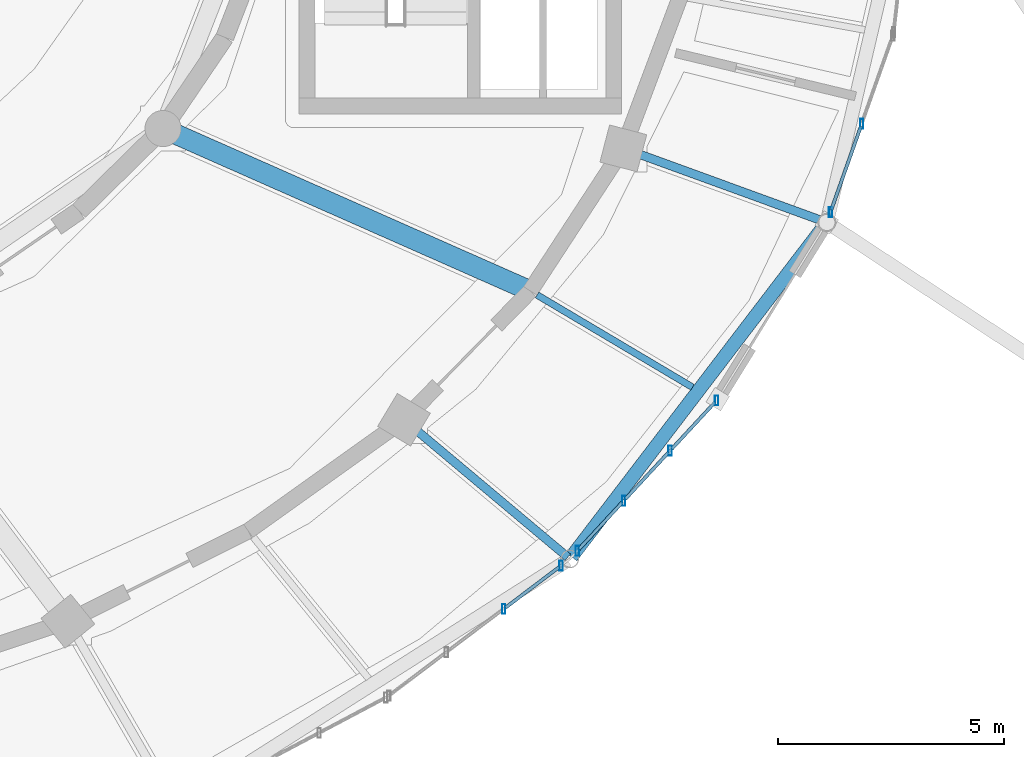
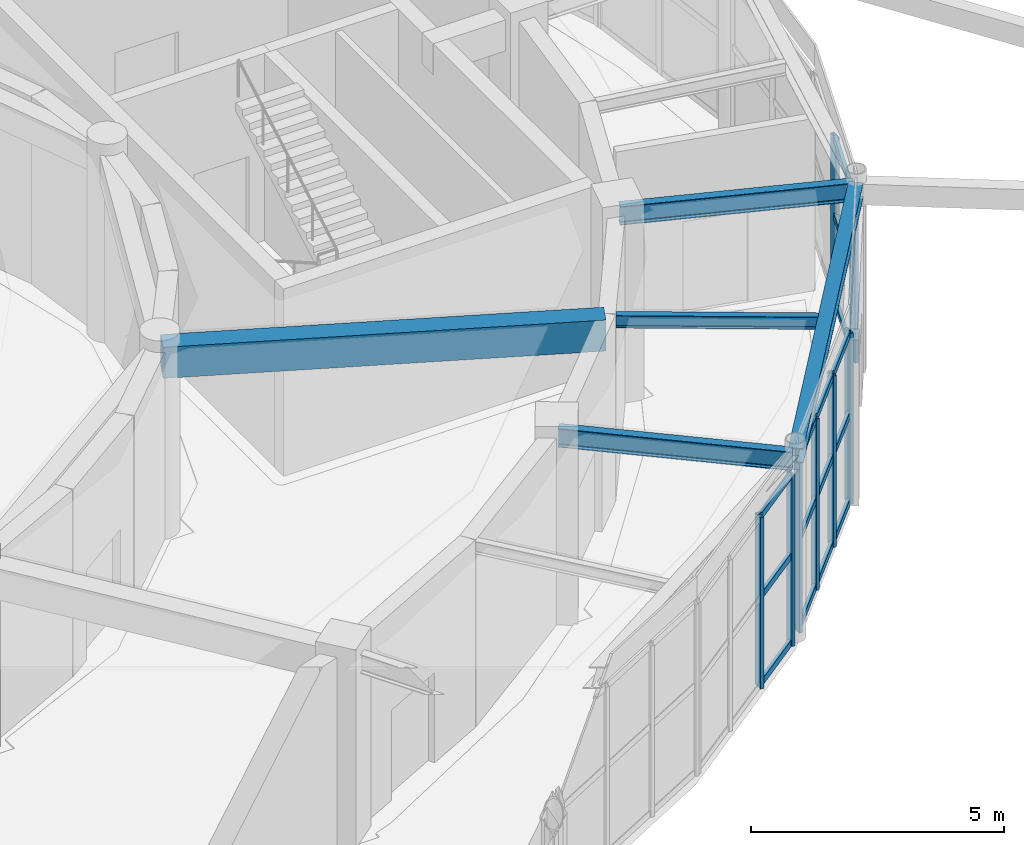
# One storey, part 43 of 108: 23 members, 5 beams, 3 elements without a shape of their own.
"""IFC4 building model written with IfcOpenShell, lengths in metres."""

from ifc_helpers import new_model, si_unit, direction, frame, origin, origin_2d, place, context, subcontext, project, spatial, rectangle, hollow_rectangle, i_section, extrude, material, material_profile, profile_set, type_object, element, aggregate, save


model = new_model("IFC4")

# Units and contexts
model_context = context("Model", 3, precision=1e-05, world=origin(), true_north=direction((0.0, 1.0)))
body_context = subcontext(model_context, "Body", "Model", "MODEL_VIEW")
ifc_project = project(units=[si_unit("LENGTHUNIT", "METRE"), si_unit("AREAUNIT", "SQUARE_METRE"), si_unit("VOLUMEUNIT", "CUBIC_METRE"), si_unit("PLANEANGLEUNIT", "RADIAN"), si_unit("MASSUNIT", "GRAM", prefix="KILO")], contexts=[model_context])

# Site, building, storey
site_placement = place(None, origin())
site = spatial("IfcSite", under=ifc_project, at=site_placement, CompositionType="ELEMENT")
building_placement = place(site_placement, origin())
building = spatial("IfcBuilding", under=site, at=building_placement, Name="Tarnveldt Headland Concert Hall", CompositionType="ELEMENT")
storey_placement = place(building_placement, origin())
storey = spatial("IfcBuildingStorey", under=building, at=storey_placement, Name="L00", CompositionType="ELEMENT", Elevation=0.0)

# Beam
ifc_material_1 = material(Name="Concrete C40/50", Category="concrete")
ifc_material_profile_1 = material_profile(ifc_material_1, rectangle(XDim=0.449951171875, YDim=0.75, at=origin_2d()), Name="RC 450x750", Category="concrete")
ifc_profile_set_1 = profile_set([ifc_material_profile_1], Name="Concrete C40/50")
beam_type_1 = type_object("IfcBeamType", Name="CB-450x750", PredefinedType="BEAM", material=ifc_profile_set_1)
beam_1_placement = place(storey_placement, frame((99.644775390625, 48.083740234375, 4.14501953125), z_axis=(0.91456211397, -0.404445471839, 0.0), x_axis=(0.404445471839, 0.91456211397, 0.0)))
element("IfcBeam", 1, at=beam_1_placement, inside=storey, type_object=beam_type_1, Name="Framing beam L00-422", PredefinedType="BEAM", context=body_context, shape_type="SweptSolid", body=[
    extrude(rectangle(XDim=0.449951171875, YDim=0.75, at=origin_2d()), origin(), (0.0, 0.0, 1.0), 8.821044921875),
])

# Curtain wall, members
ifc_material_2 = material(Name="Marine-anodised aluminium EN AW-6063-T6", Category="aluminium")
curtain_wall_type = type_object("IfcCurtainWallType", Name="CW-F1", PredefinedType="NOTDEFINED", material=ifc_material_2)
curtain_wall_1_placement = place(storey_placement, origin())
curtain_wall_1 = element("IfcCurtainWall", 2, at=curtain_wall_1_placement, inside=storey, type_object=curtain_wall_type, Name="Curtain wall CW-L00-023", PredefinedType="NOTDEFINED")
ifc_material_profile_2 = material_profile(ifc_material_2, hollow_rectangle(XDim=0.074951171875, YDim=0.219970703125, WallThickness=0.0048828125, at=origin_2d()), Name="ALU MULLION 75x220x5", Category="aluminium")
ifc_profile_set_2 = profile_set([ifc_material_profile_2], Name="Marine-anodised aluminium EN AW-6063-T6")
member_type_1 = type_object("IfcMemberType", Name="ML-200", PredefinedType="MULLION", material=ifc_profile_set_2)
member_1_placement = place(storey_placement, frame((107.159912109375, 37.4501953125, 0.0), z_axis=(0.0, 0.0, 1.0), x_axis=(1.0, 0.0, 0.0)))
member_1 = element("IfcMember", 3, at=member_1_placement, type_object=member_type_1, Name="Mullion CW-L00-023-3", PredefinedType="MULLION", context=body_context, shape_type="SweptSolid", body=[
    extrude(hollow_rectangle(XDim=0.074951171875, YDim=0.219970703125, WallThickness=0.0048828125, at=origin_2d()), origin(), (0.0, 0.0, 1.0), 4.139892578125),
])
member_2_placement = place(storey_placement, frame((108.432373046875, 38.412109375, 0.0), z_axis=(0.0, 0.0, 1.0), x_axis=(1.0, 0.0, 0.0)))
member_2 = element("IfcMember", 4, at=member_2_placement, type_object=member_type_1, Name="Mullion CW-L00-023-4", PredefinedType="MULLION", context=body_context, shape_type="SweptSolid", body=[
    extrude(hollow_rectangle(XDim=0.074951171875, YDim=0.219970703125, WallThickness=0.0048828125, at=origin_2d()), origin(), (0.0, 0.0, 1.0), 4.139892578125),
])

curtain_wall_2_placement = place(storey_placement, origin())
curtain_wall_2 = element("IfcCurtainWall", 5, at=curtain_wall_2_placement, inside=storey, type_object=curtain_wall_type, Name="Curtain wall CW-L00-024", PredefinedType="NOTDEFINED")
member_3_placement = place(storey_placement, frame((108.79150390625, 38.7373046875, 0.0), z_axis=(0.0, 0.0, 1.0), x_axis=(1.0, 0.0, 0.0)))
member_3 = element("IfcMember", 6, at=member_3_placement, type_object=member_type_1, Name="Mullion CW-L00-024-1", PredefinedType="MULLION", context=body_context, shape_type="SweptSolid", body=[
    extrude(hollow_rectangle(XDim=0.074951171875, YDim=0.219970703125, WallThickness=0.0048828125, at=origin_2d()), origin(), (0.0, 0.0, 1.0), 4.139892578125),
])
member_4_placement = place(storey_placement, frame((109.820556640625, 39.848388671875, 0.0), z_axis=(0.0, 0.0, 1.0), x_axis=(1.0, 0.0, 0.0)))
member_4 = element("IfcMember", 7, at=member_4_placement, type_object=member_type_1, Name="Mullion CW-L00-024-2", PredefinedType="MULLION", context=body_context, shape_type="SweptSolid", body=[
    extrude(hollow_rectangle(XDim=0.074951171875, YDim=0.219970703125, WallThickness=0.0048828125, at=origin_2d()), origin(), (0.0, 0.0, 1.0), 4.139892578125),
])
member_5_placement = place(storey_placement, frame((110.849365234375, 40.959716796875, 0.0), z_axis=(0.0, 0.0, 1.0), x_axis=(1.0, 0.0, 0.0)))
member_5 = element("IfcMember", 8, at=member_5_placement, type_object=member_type_1, Name="Mullion CW-L00-024-3", PredefinedType="MULLION", context=body_context, shape_type="SweptSolid", body=[
    extrude(hollow_rectangle(XDim=0.074951171875, YDim=0.219970703125, WallThickness=0.0048828125, at=origin_2d()), origin(), (0.0, 0.0, 1.0), 4.139892578125),
])
member_6_placement = place(storey_placement, frame((111.87841796875, 42.07080078125, 0.0), z_axis=(0.0, 0.0, 1.0), x_axis=(1.0, 0.0, 0.0)))
member_6 = element("IfcMember", 9, at=member_6_placement, type_object=member_type_1, Name="Mullion CW-L00-024-4", PredefinedType="MULLION", context=body_context, shape_type="SweptSolid", body=[
    extrude(hollow_rectangle(XDim=0.074951171875, YDim=0.219970703125, WallThickness=0.0048828125, at=origin_2d()), origin(), (0.0, 0.0, 1.0), 4.139892578125),
])

curtain_wall_3_placement = place(storey_placement, origin())
curtain_wall_3 = element("IfcCurtainWall", 10, at=curtain_wall_3_placement, inside=storey, type_object=curtain_wall_type, Name="Curtain wall CW-L00-025", PredefinedType="NOTDEFINED")
member_7_placement = place(storey_placement, frame((114.403076171875, 46.2470703125, 0.0), z_axis=(0.0, 0.0, 1.0), x_axis=(1.0, 0.0, 0.0)))
member_7 = element("IfcMember", 11, at=member_7_placement, type_object=member_type_1, Name="Mullion CW-L00-025-1", PredefinedType="MULLION", context=body_context, shape_type="SweptSolid", body=[
    extrude(hollow_rectangle(XDim=0.074951171875, YDim=0.219970703125, WallThickness=0.0048828125, at=origin_2d()), origin(), (0.0, 0.0, 1.0), 4.01806640625),
])
member_8_placement = place(storey_placement, frame((115.095703125, 48.201416015625, 0.0), z_axis=(0.0, 0.0, 1.0), x_axis=(1.0, 0.0, 0.0)))
member_8 = element("IfcMember", 12, at=member_8_placement, type_object=member_type_1, Name="Mullion CW-L00-025-2", PredefinedType="MULLION", context=body_context, shape_type="SweptSolid", body=[
    extrude(hollow_rectangle(XDim=0.074951171875, YDim=0.219970703125, WallThickness=0.0048828125, at=origin_2d()), origin(), (0.0, 0.0, 1.0), 4.01806640625),
])

# Beams
ifc_material_3 = material(Name="Steel S355", Category="steel")
ifc_material_profile_3 = material_profile(ifc_material_3, i_section(OverallWidth=0.300048828125, OverallDepth=0.35009765625, WebThickness=0.010009765625, FlangeThickness=0.017578125, FilletRadius=0.027099609375, at=origin_2d()), Name="HEA360", Category="steel")
ifc_profile_set_3 = profile_set([ifc_material_profile_3], Name="Steel S355")
beam_type_2 = type_object("IfcBeamType", Name="SB-HEA360", PredefinedType="SPANDREL", material=ifc_profile_set_3)
beam_2_placement = place(storey_placement, frame((108.66259765625, 38.606689453125, 4.344970703125), z_axis=(0.606896353007, 0.794780986629, 0.0), x_axis=(-0.794780986629, 0.606896353007, 0.0)))
element("IfcBeam", 13, at=beam_2_placement, inside=storey, type_object=beam_type_2, Name="Framing beam L00-394", PredefinedType="SPANDREL", context=body_context, shape_type="SweptSolid", body=[
    extrude(i_section(OverallWidth=0.300048828125, OverallDepth=0.35009765625, WebThickness=0.010009765625, FlangeThickness=0.017578125, FilletRadius=0.027099609375, at=origin_2d()), origin(), (0.0, 0.0, 1.0), 9.264892578125),
])
ifc_material_profile_4 = material_profile(ifc_material_3, i_section(OverallWidth=0.14990234375, OverallDepth=0.300048828125, WebThickness=0.007080078125, FlangeThickness=0.0107421875, FilletRadius=0.014892578125, at=origin_2d()), Name="IPE300", Category="steel")
ifc_profile_set_4 = profile_set([ifc_material_profile_4], Name="Steel S355")
beam_type_3 = type_object("IfcBeamType", Name="SB-IPE300", PredefinedType="JOIST", material=ifc_profile_set_4)
beam_3_placement = place(storey_placement, frame((107.899169921875, 44.41064453125, 4.3701171875), z_axis=(0.859902377377, -0.510458520726, 0.0), x_axis=(0.510458520726, 0.859902377377, 0.0)))
element("IfcBeam", 14, at=beam_3_placement, inside=storey, type_object=beam_type_3, Name="Framing beam L00-396", PredefinedType="JOIST", context=body_context, shape_type="SweptSolid", body=[
    extrude(i_section(OverallWidth=0.14990234375, OverallDepth=0.300048828125, WebThickness=0.007080078125, FlangeThickness=0.0107421875, FilletRadius=0.014892578125, at=origin_2d()), origin(), (0.0, 0.0, 1.0), 4.007568359375),
])
ifc_material_profile_5 = material_profile(ifc_material_3, i_section(OverallWidth=0.18994140625, OverallDepth=0.449951171875, WebThickness=0.009521484375, FlangeThickness=0.0146484375, FilletRadius=0.02099609375, at=origin_2d()), Name="IPE450", Category="steel")
ifc_profile_set_5 = profile_set([ifc_material_profile_5], Name="Steel S355")
beam_type_4 = type_object("IfcBeamType", Name="SB-IPE450", PredefinedType="BEAM", material=ifc_profile_set_5)
beam_4_placement = place(storey_placement, frame((104.979736328125, 41.618408203125, 4.294921875), z_axis=(0.76607107782, -0.642755866351, 0.0), x_axis=(0.642755866351, 0.76607107782, 0.0)))
element("IfcBeam", 15, at=beam_4_placement, inside=storey, type_object=beam_type_4, Name="Framing beam L00-395", PredefinedType="BEAM", context=body_context, shape_type="SweptSolid", body=[
    extrude(i_section(OverallWidth=0.18994140625, OverallDepth=0.449951171875, WebThickness=0.009521484375, FlangeThickness=0.0146484375, FilletRadius=0.02099609375, at=origin_2d()), origin(), (0.0, 0.0, 1.0), 4.699951171875),
])
beam_5_placement = place(storey_placement, frame((109.84912109375, 47.64599609375, 4.294921875), z_axis=(0.939673545823, -0.34207254681, 0.0), x_axis=(0.34207254681, 0.939673545823, 0.0)))
element("IfcBeam", 16, at=beam_5_placement, inside=storey, type_object=beam_type_4, Name="Framing beam L00-398", PredefinedType="BEAM", context=body_context, shape_type="SweptSolid", body=[
    extrude(i_section(OverallWidth=0.18994140625, OverallDepth=0.449951171875, WebThickness=0.009521484375, FlangeThickness=0.0146484375, FilletRadius=0.02099609375, at=origin_2d()), origin(), (0.0, 0.0, 1.0), 4.69970703125),
])

# Member
ifc_material_profile_6 = material_profile(ifc_material_2, hollow_rectangle(XDim=0.074951171875, YDim=0.159912109375, WallThickness=0.00390625, at=origin_2d()), Name="ALU TRANSOM 75x160x4", Category="aluminium")
ifc_profile_set_6 = profile_set([ifc_material_profile_6], Name="Marine-anodised aluminium EN AW-6063-T6")
member_type_2 = type_object("IfcMemberType", Name="TR-160", PredefinedType="MEMBER", material=ifc_profile_set_6)
member_9_placement = place(storey_placement, frame((107.199462890625, 37.47998046875, 0.050048828125), z_axis=(0.797644013211, 0.603128533721, 0.0), x_axis=(-0.603128533721, 0.797644013211, 0.0)))
member_9 = element("IfcMember", 17, at=member_9_placement, type_object=member_type_2, Name="Transom CW-L00-023-3-1", PredefinedType="MEMBER", context=body_context, shape_type="SweptSolid", body=[
    extrude(hollow_rectangle(XDim=0.074951171875, YDim=0.159912109375, WallThickness=0.00390625, at=origin_2d()), origin(), (0.0, 0.0, 1.0), 1.49609375),
])

member_10_placement = place(storey_placement, frame((107.199462890625, 37.47998046875, 2.15283203125), z_axis=(0.797644013211, 0.603128533721, 0.0), x_axis=(-0.603128533721, 0.797644013211, 0.0)))
member_10 = element("IfcMember", 18, at=member_10_placement, type_object=member_type_2, Name="Transom CW-L00-023-3-2", PredefinedType="MEMBER", context=body_context, shape_type="SweptSolid", body=[
    extrude(hollow_rectangle(XDim=0.074951171875, YDim=0.159912109375, WallThickness=0.00390625, at=origin_2d()), origin(), (0.0, 0.0, 1.0), 1.49609375),
])

member_11_placement = place(storey_placement, frame((107.199462890625, 37.47998046875, 4.090087890625), z_axis=(0.797644013211, 0.603128533721, 0.0), x_axis=(-0.603128533721, 0.797644013211, 0.0)))
member_11 = element("IfcMember", 19, at=member_11_placement, type_object=member_type_2, Name="Transom CW-L00-023-3-3", PredefinedType="MEMBER", context=body_context, shape_type="SweptSolid", body=[
    extrude(hollow_rectangle(XDim=0.074951171875, YDim=0.159912109375, WallThickness=0.00390625, at=origin_2d()), origin(), (0.0, 0.0, 1.0), 1.49609375),
])

aggregate(curtain_wall_1, [member_1, member_2, member_9, member_10, member_11])

member_12_placement = place(storey_placement, frame((108.8251953125, 38.773681640625, 0.050048828125), z_axis=(0.679504344073, 0.733671483966, 0.0), x_axis=(-0.733671483966, 0.679504344073, 0.0)))
member_12 = element("IfcMember", 20, at=member_12_placement, type_object=member_type_2, Name="Transom CW-L00-024-1-1", PredefinedType="MEMBER", context=body_context, shape_type="SweptSolid", body=[
    extrude(hollow_rectangle(XDim=0.074951171875, YDim=0.159912109375, WallThickness=0.00390625, at=origin_2d()), origin(), (0.0, 0.0, 1.0), 1.415283203125),
])

member_13_placement = place(storey_placement, frame((108.8251953125, 38.773681640625, 2.15283203125), z_axis=(0.679504344073, 0.733671483966, 0.0), x_axis=(-0.733671483966, 0.679504344073, 0.0)))
member_13 = element("IfcMember", 21, at=member_13_placement, type_object=member_type_2, Name="Transom CW-L00-024-1-2", PredefinedType="MEMBER", context=body_context, shape_type="SweptSolid", body=[
    extrude(hollow_rectangle(XDim=0.074951171875, YDim=0.159912109375, WallThickness=0.00390625, at=origin_2d()), origin(), (0.0, 0.0, 1.0), 1.415283203125),
])

member_14_placement = place(storey_placement, frame((108.8251953125, 38.773681640625, 4.090087890625), z_axis=(0.679504344073, 0.733671483966, 0.0), x_axis=(-0.733671483966, 0.679504344073, 0.0)))
member_14 = element("IfcMember", 22, at=member_14_placement, type_object=member_type_2, Name="Transom CW-L00-024-1-3", PredefinedType="MEMBER", context=body_context, shape_type="SweptSolid", body=[
    extrude(hollow_rectangle(XDim=0.074951171875, YDim=0.159912109375, WallThickness=0.00390625, at=origin_2d()), origin(), (0.0, 0.0, 1.0), 1.415283203125),
])

member_15_placement = place(storey_placement, frame((109.85400390625, 39.884765625, 0.050048828125), z_axis=(0.679597183655, 0.733585487839, 0.0), x_axis=(-0.733585487839, 0.679597183655, 0.0)))
member_15 = element("IfcMember", 23, at=member_15_placement, type_object=member_type_2, Name="Transom CW-L00-024-2-1", PredefinedType="MEMBER", context=body_context, shape_type="SweptSolid", body=[
    extrude(hollow_rectangle(XDim=0.074951171875, YDim=0.159912109375, WallThickness=0.00390625, at=origin_2d()), origin(), (0.0, 0.0, 1.0), 1.41552734375),
])

member_16_placement = place(storey_placement, frame((109.85400390625, 39.884765625, 2.15283203125), z_axis=(0.679597183655, 0.733585487839, 0.0), x_axis=(-0.733585487839, 0.679597183655, 0.0)))
member_16 = element("IfcMember", 24, at=member_16_placement, type_object=member_type_2, Name="Transom CW-L00-024-2-2", PredefinedType="MEMBER", context=body_context, shape_type="SweptSolid", body=[
    extrude(hollow_rectangle(XDim=0.074951171875, YDim=0.159912109375, WallThickness=0.00390625, at=origin_2d()), origin(), (0.0, 0.0, 1.0), 1.41552734375),
])

member_17_placement = place(storey_placement, frame((109.85400390625, 39.884765625, 4.090087890625), z_axis=(0.679597183655, 0.733585487839, 0.0), x_axis=(-0.733585487839, 0.679597183655, 0.0)))
member_17 = element("IfcMember", 25, at=member_17_placement, type_object=member_type_2, Name="Transom CW-L00-024-2-3", PredefinedType="MEMBER", context=body_context, shape_type="SweptSolid", body=[
    extrude(hollow_rectangle(XDim=0.074951171875, YDim=0.159912109375, WallThickness=0.00390625, at=origin_2d()), origin(), (0.0, 0.0, 1.0), 1.41552734375),
])

member_18_placement = place(storey_placement, frame((110.883056640625, 40.995849609375, 0.050048828125), z_axis=(0.679418349957, 0.733751119755, 0.0), x_axis=(-0.733751119755, 0.679418349957, 0.0)))
member_18 = element("IfcMember", 26, at=member_18_placement, type_object=member_type_2, Name="Transom CW-L00-024-3-1", PredefinedType="MEMBER", context=body_context, shape_type="SweptSolid", body=[
    extrude(hollow_rectangle(XDim=0.074951171875, YDim=0.159912109375, WallThickness=0.00390625, at=origin_2d()), origin(), (0.0, 0.0, 1.0), 1.41552734375),
])

member_19_placement = place(storey_placement, frame((110.883056640625, 40.995849609375, 2.15283203125), z_axis=(0.679418349957, 0.733751119755, 0.0), x_axis=(-0.733751119755, 0.679418349957, 0.0)))
member_19 = element("IfcMember", 27, at=member_19_placement, type_object=member_type_2, Name="Transom CW-L00-024-3-2", PredefinedType="MEMBER", context=body_context, shape_type="SweptSolid", body=[
    extrude(hollow_rectangle(XDim=0.074951171875, YDim=0.159912109375, WallThickness=0.00390625, at=origin_2d()), origin(), (0.0, 0.0, 1.0), 1.41552734375),
])

member_20_placement = place(storey_placement, frame((110.883056640625, 40.995849609375, 4.090087890625), z_axis=(0.679418349957, 0.733751119755, 0.0), x_axis=(-0.733751119755, 0.679418349957, 0.0)))
member_20 = element("IfcMember", 28, at=member_20_placement, type_object=member_type_2, Name="Transom CW-L00-024-3-3", PredefinedType="MEMBER", context=body_context, shape_type="SweptSolid", body=[
    extrude(hollow_rectangle(XDim=0.074951171875, YDim=0.159912109375, WallThickness=0.00390625, at=origin_2d()), origin(), (0.0, 0.0, 1.0), 1.41552734375),
])

aggregate(curtain_wall_2, [member_3, member_4, member_5, member_6, member_12, member_13, member_14, member_15, member_16, member_17, member_18, member_19, member_20])

member_21_placement = place(storey_placement, frame((114.419677734375, 46.293701171875, 0.050048828125), z_axis=(0.333977607749, 0.942581008467, 0.0), x_axis=(-0.942581008467, 0.333977607749, 0.0)))
member_21 = element("IfcMember", 29, at=member_21_placement, type_object=member_type_2, Name="Transom CW-L00-025-1-1", PredefinedType="MEMBER", context=body_context, shape_type="SweptSolid", body=[
    extrude(hollow_rectangle(XDim=0.074951171875, YDim=0.159912109375, WallThickness=0.00390625, at=origin_2d()), origin(), (0.0, 0.0, 1.0), 1.974365234375),
])

member_22_placement = place(storey_placement, frame((114.419677734375, 46.293701171875, 2.08935546875), z_axis=(0.333977607749, 0.942581008467, 0.0), x_axis=(-0.942581008467, 0.333977607749, 0.0)))
member_22 = element("IfcMember", 30, at=member_22_placement, type_object=member_type_2, Name="Transom CW-L00-025-1-2", PredefinedType="MEMBER", context=body_context, shape_type="SweptSolid", body=[
    extrude(hollow_rectangle(XDim=0.074951171875, YDim=0.159912109375, WallThickness=0.00390625, at=origin_2d()), origin(), (0.0, 0.0, 1.0), 1.974365234375),
])

member_23_placement = place(storey_placement, frame((114.419677734375, 46.293701171875, 3.968017578125), z_axis=(0.333977607749, 0.942581008467, 0.0), x_axis=(-0.942581008467, 0.333977607749, 0.0)))
member_23 = element("IfcMember", 31, at=member_23_placement, type_object=member_type_2, Name="Transom CW-L00-025-1-3", PredefinedType="MEMBER", context=body_context, shape_type="SweptSolid", body=[
    extrude(hollow_rectangle(XDim=0.074951171875, YDim=0.159912109375, WallThickness=0.00390625, at=origin_2d()), origin(), (0.0, 0.0, 1.0), 1.974365234375),
])

aggregate(curtain_wall_3, [member_7, member_8, member_21, member_22, member_23])

save(model, "model.ifc")
